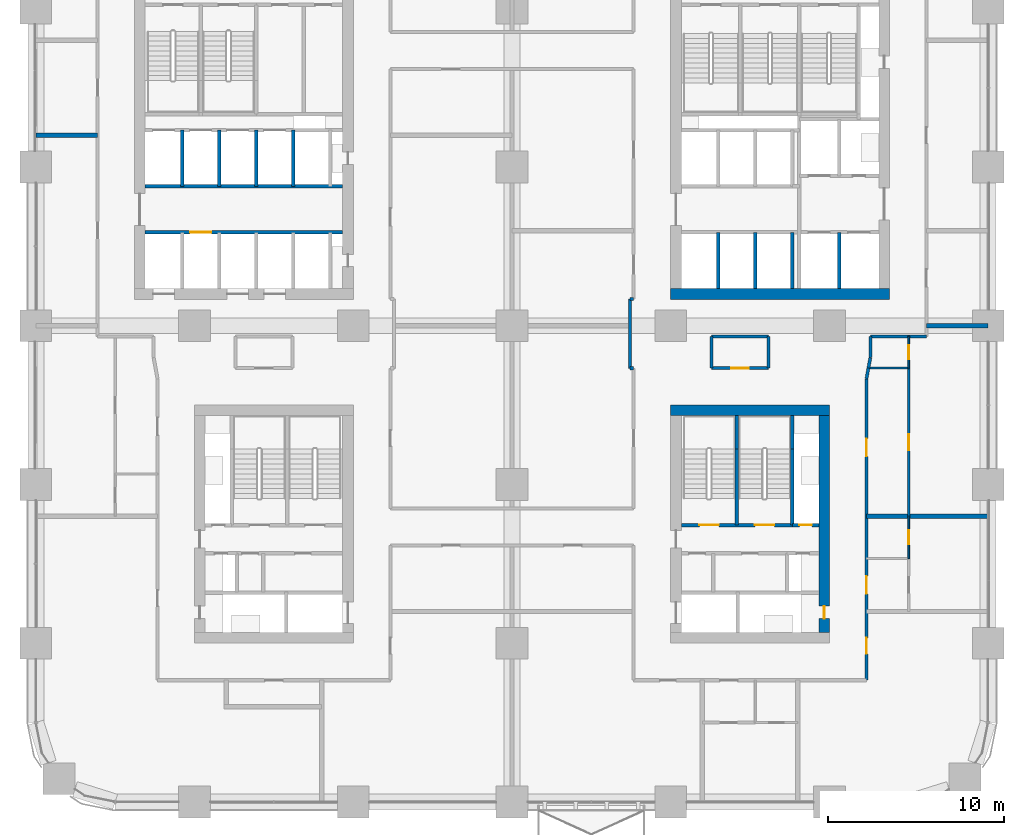
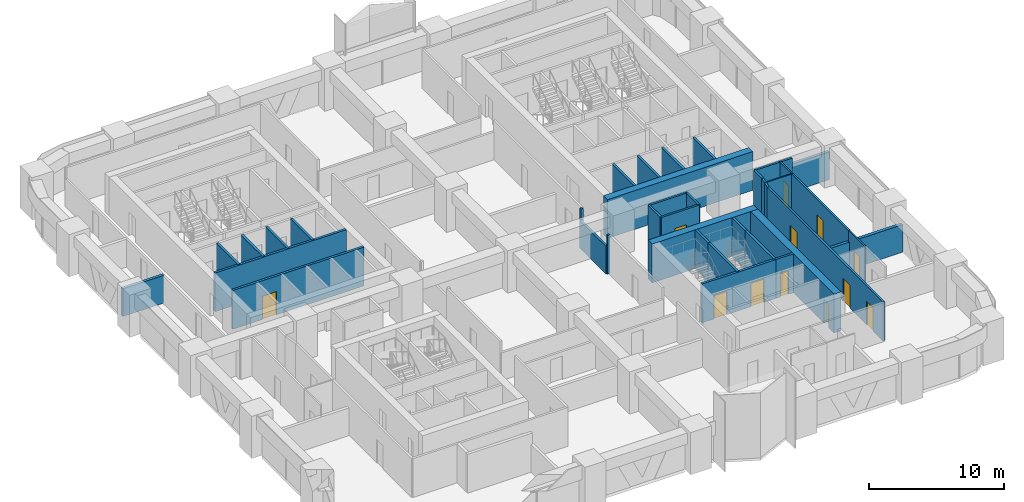
# One storey, part 15 of 22: 38 walls, 12 doors, 12 openings.
"""IFC4 building model written with IfcOpenShell, lengths in metres."""

from ifc_helpers import new_model, si_unit, direction, frame, frame_2d, origin, place, context, subcontext, project, spatial, rectangle, extrude, material, layer, layer_set, type_object, element, fill, save


model = new_model("IFC4")

# Units and contexts
model_context = context("Model", 3, precision=1e-05, world=origin(), true_north=direction((0.0, 1.0)))
body_context = subcontext(model_context, "Body", "Model", "MODEL_VIEW")
ifc_project = project(units=[si_unit("LENGTHUNIT", "METRE"), si_unit("AREAUNIT", "SQUARE_METRE"), si_unit("VOLUMEUNIT", "CUBIC_METRE"), si_unit("PLANEANGLEUNIT", "RADIAN"), si_unit("MASSUNIT", "GRAM", prefix="KILO")], contexts=[model_context])

# Site, building, storey
site_placement = place(None, origin())
site = spatial("IfcSite", under=ifc_project, at=site_placement, CompositionType="ELEMENT")
building_placement = place(site_placement, origin())
building = spatial("IfcBuilding", under=site, at=building_placement, Name="Tessera Arch", CompositionType="ELEMENT")
storey_placement = place(building_placement, frame((0.0, 0.0, 53.800048828125)))
storey = spatial("IfcBuildingStorey", under=building, at=storey_placement, Name="L11", CompositionType="ELEMENT", Elevation=53.800048828125)

# Walls
ifc_material_1 = material(Name="Concrete C70/85", Category="concrete")
ifc_layer_1 = layer(ifc_material_1, 0.60009765625)
ifc_layer_set_1 = layer_set([ifc_layer_1], Name="Core shell wall 600 C70-85")
wall_type_1 = type_object("IfcWallType", Name="Core shell wall 600 C70-85", PredefinedType="SHEAR", material=ifc_layer_set_1)
wall_1_placement = place(storey_placement, frame((36.0, 28.800048828125, 0.0), z_axis=(0.0, 0.0, 1.0), x_axis=(1.0, 0.0, 0.0)))
element("IfcWall", 1, at=wall_1_placement, inside=storey, type_object=wall_type_1, Name="L11 C1 core wall S", PredefinedType="SHEAR", context=body_context, shape_type="SweptSolid", body=[
    extrude(rectangle(XDim=12.39990234375, YDim=0.60009765625, at=frame_2d((6.199951171875, 0.0))), origin(), (0.0, 0.0, 1.0), 3.5),
])
wall_2_placement = place(storey_placement, frame((36.0, 22.199951171875, 0.0), z_axis=(0.0, 0.0, 1.0), x_axis=(1.0, 0.0, 0.0)))
element("IfcWall", 2, at=wall_2_placement, inside=storey, type_object=wall_type_1, Name="L11 C3 core wall N", PredefinedType="SHEAR", context=body_context, shape_type="SweptSolid", body=[
    extrude(rectangle(XDim=9.0, YDim=0.60009765625, at=frame_2d((4.5, 0.0))), origin(), (0.0, 0.0, 1.0), 3.5),
])

# Wall, opening, door
wall_3_placement = place(storey_placement, frame((44.699951171875, 9.60009765625, 0.0), z_axis=(0.0, 0.0, 1.0), x_axis=(0.0, 1.0, 0.0)))
wall_3 = element("IfcWall", 3, at=wall_3_placement, inside=storey, type_object=wall_type_1, Name="L11 C3 core wall E", PredefinedType="SHEAR", context=body_context, shape_type="SweptSolid", body=[
    extrude(rectangle(XDim=12.2998046875, YDim=0.60009765625, at=frame_2d((6.14990234375, 0.0))), origin(), (0.0, 0.0, 1.0), 3.5),
])
opening_1_placement = place(wall_3_placement, frame((0.800048828125, 0.0, 0.0)))
opening_1 = element("IfcOpeningElement", 4, at=opening_1_placement, cuts=wall_3, Name="Opening L11-C36", PredefinedType="OPENING", context=body_context, shape_type="SweptSolid", body=[
    extrude(rectangle(XDim=0.699951171875, YDim=2.10009765625, at=frame_2d((0.35009765625, 1.050048828125))), frame((0.0, 0.31005859375, 0.0), z_axis=(0.0, -1.0, 0.0), x_axis=(1.0, 0.0, 0.0)), (0.0, 0.0, 1.0), 0.6201171875),
])
ifc_material_2 = material(Name="Steel door leaf", Category="steel")
door_type_1 = type_object("IfcDoorType", Name="Service shaft door FD60 700 x 2100", OperationType="SINGLE_SWING_LEFT", PredefinedType="DOOR", material=ifc_material_2)
door_1_placement = place(opening_1_placement, origin())
door_1 = element("IfcDoor", 5, at=door_1_placement, inside=storey, type_object=door_type_1, Name="L11 C3 door 6 C36 type D07", OperationType="SINGLE_SWING_LEFT", OverallHeight=2.10009765625, OverallWidth=0.699951171875, PredefinedType="DOOR", context=body_context, shape_type="SweptSolid", body=[
    extrude(rectangle(XDim=0.699951171875, YDim=2.10009765625, at=frame_2d((0.35009765625, 1.050048828125))), frame((0.0, 0.02490234375, 0.0), z_axis=(0.0, -1.0, 0.0), x_axis=(1.0, 0.0, 0.0)), (0.0, 0.0, 1.0), 0.050048828125),
])
fill(opening_1, door_1)

# Wall
ifc_material_3 = material(Name="Gypsum board on deep steel stud with mineral wool", Category="steel")
ifc_layer_2 = layer(ifc_material_3, 0.175048828125)
ifc_layer_set_2 = layer_set([ifc_layer_2], Name="Corridor wall 175 EI 60")
wall_type_2 = type_object("IfcWallType", Name="Corridor wall 175 EI 60", PredefinedType="PARTITIONING", material=ifc_layer_set_2)
wall_4_placement = place(storey_placement, frame((33.699951171875, 24.590087890625, 0.0), z_axis=(0.0, 0.0, 1.0), x_axis=(1.0, 0.0, 0.0)))
element("IfcWall", 6, at=wall_4_placement, inside=storey, type_object=wall_type_2, Name="L11 partition 6", PredefinedType="PARTITIONING", context=body_context, shape_type="SweptSolid", body=[
    extrude(rectangle(XDim=0.199951171875, YDim=0.175048828125, at=frame_2d((0.10009765625, 0.0))), origin(), (0.0, 0.0, 1.0), 3.5),
])

# Wall, opening, door
wall_5_placement = place(storey_placement, frame((38.320068359375, 24.60009765625, 0.0), z_axis=(0.0, 0.0, 1.0), x_axis=(1.0, 0.0, 0.0)))
wall_5 = element("IfcWall", 7, at=wall_5_placement, inside=storey, type_object=wall_type_2, Name="L11 partition 8", PredefinedType="PARTITIONING", context=body_context, shape_type="SweptSolid", body=[
    extrude(rectangle(XDim=3.22998046875, YDim=0.175048828125, at=frame_2d((1.614990234375, 0.0))), origin(), (0.0, 0.0, 1.0), 3.5),
])
opening_2_placement = place(wall_5_placement, frame((1.114990234375, 0.0, 0.0)))
opening_2 = element("IfcOpeningElement", 8, at=opening_2_placement, cuts=wall_5, Name="Opening L11-D023", PredefinedType="OPENING", context=body_context, shape_type="SweptSolid", body=[
    extrude(rectangle(XDim=1.0, YDim=2.10009765625, at=frame_2d((0.5, 1.050048828125))), frame((0.0, 0.097412109375, 0.0), z_axis=(0.0, -1.0, 0.0), x_axis=(1.0, 0.0, 0.0)), (0.0, 0.0, 1.0), 0.195068359375),
])
ifc_material_4 = material(Name="Fire-rated door leaf")
door_type_2 = type_object("IfcDoorType", Name="Entrance door FD30S 1000 x 2100", OperationType="SINGLE_SWING_LEFT", PredefinedType="DOOR", material=ifc_material_4)
door_2_placement = place(opening_2_placement, origin())
door_2 = element("IfcDoor", 9, at=door_2_placement, inside=storey, type_object=door_type_2, Name="L11 door D023 type D03", OperationType="SINGLE_SWING_LEFT", OverallHeight=2.10009765625, OverallWidth=1.0, PredefinedType="DOOR", context=body_context, shape_type="SweptSolid", body=[
    extrude(rectangle(XDim=1.0, YDim=2.10009765625, at=frame_2d((0.5, 1.050048828125))), frame((0.0, 0.02490234375, 0.0), z_axis=(0.0, -1.0, 0.0), x_axis=(1.0, 0.0, 0.0)), (0.0, 0.0, 1.0), 0.050048828125),
])
fill(opening_2, door_2)

# Walls
wall_6_placement = place(storey_placement, frame((38.320068359375, 26.39990234375, 0.0), z_axis=(0.0, 0.0, 1.0), x_axis=(1.0, 0.0, 0.0)))
element("IfcWall", 10, at=wall_6_placement, inside=storey, type_object=wall_type_2, Name="L11 partition 11", PredefinedType="PARTITIONING", context=body_context, shape_type="SweptSolid", body=[
    extrude(rectangle(XDim=3.22998046875, YDim=0.175048828125, at=frame_2d((1.614990234375, 0.0))), origin(), (0.0, 0.0, 1.0), 3.5),
])
wall_7_placement = place(storey_placement, frame((47.320068359375, 26.39990234375, 0.0), z_axis=(0.0, 0.0, 1.0), x_axis=(1.0, 0.0, 0.0)))
element("IfcWall", 11, at=wall_7_placement, inside=storey, type_object=wall_type_2, Name="L11 partition 12", PredefinedType="PARTITIONING", context=body_context, shape_type="SweptSolid", body=[
    extrude(rectangle(XDim=3.179931640625, YDim=0.175048828125, at=frame_2d((1.58984375, 0.0))), origin(), (0.0, 0.0, 1.0), 3.5),
])
wall_8_placement = place(storey_placement, frame((33.699951171875, 28.52001953125, 0.0), z_axis=(0.0, 0.0, 1.0), x_axis=(1.0, 0.0, 0.0)))
element("IfcWall", 12, at=wall_8_placement, inside=storey, type_object=wall_type_2, Name="L11 partition 14", PredefinedType="PARTITIONING", context=body_context, shape_type="SweptSolid", body=[
    extrude(rectangle(XDim=0.199951171875, YDim=0.175048828125, at=frame_2d((0.10009765625, 0.0))), origin(), (0.0, 0.0, 1.0), 3.5),
])
wall_9_placement = place(storey_placement, frame((33.699951171875, 24.590087890625, 0.0), z_axis=(0.0, 0.0, 1.0), x_axis=(0.0, 1.0, 0.0)))
element("IfcWall", 13, at=wall_9_placement, inside=storey, type_object=wall_type_2, Name="L11 partition 29", PredefinedType="PARTITIONING", context=body_context, shape_type="SweptSolid", body=[
    extrude(rectangle(XDim=3.929931640625, YDim=0.175048828125, at=frame_2d((1.96484375, 0.0))), origin(), (0.0, 0.0, 1.0), 2.5),
])
for number, where, z_axis, x_axis, name in (
    (14, (38.320068359375, 24.60009765625, 0.0), (0.0, 0.0, 1.0), (0.0, 1.0, 0.0), "L11 partition 34"),
    (15, (41.550048828125, 24.60009765625, 0.0), (0.0, 0.0, 1.0), (0.0, 1.0, 0.0), "L11 partition 35"),
):
    element("IfcWall", number, at=place(storey_placement, frame(where, z_axis=z_axis, x_axis=x_axis)), inside=storey, type_object=wall_type_2, Name=name, PredefinedType="PARTITIONING", context=body_context, shape_type="SweptSolid", body=[
        extrude(rectangle(XDim=1.7998046875, YDim=0.175048828125, at=frame_2d((0.89990234375, 0.0))), origin(), (0.0, 0.0, 1.0), 3.5),
    ])

# Wall, openings, doors
wall_10_placement = place(storey_placement, frame((47.10009765625, 6.89990234375, 0.0), z_axis=(0.0, 0.0, 1.0), x_axis=(0.0, 1.0, 0.0)))
wall_10 = element("IfcWall", 16, at=wall_10_placement, inside=storey, type_object=wall_type_2, Name="L11 partition 36", PredefinedType="PARTITIONING", context=body_context, shape_type="SweptSolid", body=[
    extrude(rectangle(XDim=17.090087890625, YDim=0.175048828125, at=frame_2d((8.544921875, 0.0))), origin(), (0.0, 0.0, 1.0), 3.5),
])
opening_3_placement = place(wall_10_placement, frame((1.5, 0.0, 0.0)))
opening_3 = element("IfcOpeningElement", 17, at=opening_3_placement, cuts=wall_10, Name="Opening L11-D006", PredefinedType="OPENING", context=body_context, shape_type="SweptSolid", body=[
    extrude(rectangle(XDim=0.89990234375, YDim=2.10009765625, at=frame_2d((0.449951171875, 1.050048828125))), frame((0.0, 0.097412109375, 0.0), z_axis=(0.0, -1.0, 0.0), x_axis=(1.0, 0.0, 0.0)), (0.0, 0.0, 1.0), 0.195068359375),
])
opening_4_placement = place(wall_10_placement, frame((4.89990234375, 0.0, 0.0)))
opening_4 = element("IfcOpeningElement", 18, at=opening_4_placement, cuts=wall_10, Name="Opening L11-D011", PredefinedType="OPENING", context=body_context, shape_type="SweptSolid", body=[
    extrude(rectangle(XDim=1.0, YDim=2.10009765625, at=frame_2d((0.5, 1.050048828125))), frame((0.0, 0.097412109375, 0.0), z_axis=(0.0, -1.0, 0.0), x_axis=(1.0, 0.0, 0.0)), (0.0, 0.0, 1.0), 0.195068359375),
])
opening_5_placement = place(wall_10_placement, frame((12.695068359375, 0.0, 0.0)))
opening_5 = element("IfcOpeningElement", 19, at=opening_5_placement, cuts=wall_10, Name="Opening L11-D017", PredefinedType="OPENING", context=body_context, shape_type="SweptSolid", body=[
    extrude(rectangle(XDim=1.0, YDim=2.10009765625, at=frame_2d((0.5, 1.050048828125))), frame((0.0, 0.097412109375, 0.0), z_axis=(0.0, -1.0, 0.0), x_axis=(1.0, 0.0, 0.0)), (0.0, 0.0, 1.0), 0.195068359375),
])
door_3_placement = place(opening_4_placement, origin())
door_3 = element("IfcDoor", 20, at=door_3_placement, inside=storey, type_object=door_type_2, Name="L11 door D011 type D03", OperationType="SINGLE_SWING_RIGHT", OverallHeight=2.10009765625, OverallWidth=1.0, PredefinedType="DOOR", context=body_context, shape_type="SweptSolid", body=[
    extrude(rectangle(XDim=1.0, YDim=2.10009765625, at=frame_2d((0.5, 1.050048828125))), frame((0.0, 0.02490234375, 0.0), z_axis=(0.0, -1.0, 0.0), x_axis=(1.0, 0.0, 0.0)), (0.0, 0.0, 1.0), 0.050048828125),
])
fill(opening_4, door_3)
door_4_placement = place(opening_5_placement, origin())
door_4 = element("IfcDoor", 21, at=door_4_placement, inside=storey, type_object=door_type_2, Name="L11 door D017 type D03", OperationType="SINGLE_SWING_RIGHT", OverallHeight=2.10009765625, OverallWidth=1.0, PredefinedType="DOOR", context=body_context, shape_type="SweptSolid", body=[
    extrude(rectangle(XDim=1.0, YDim=2.10009765625, at=frame_2d((0.5, 1.050048828125))), frame((0.0, 0.02490234375, 0.0), z_axis=(0.0, -1.0, 0.0), x_axis=(1.0, 0.0, 0.0)), (0.0, 0.0, 1.0), 0.050048828125),
])
fill(opening_5, door_4)
ifc_material_5 = material(Name="Timber door leaf", Category="wood")
door_type_3 = type_object("IfcDoorType", Name="Room door 900 x 2100", OperationType="SINGLE_SWING_LEFT", PredefinedType="DOOR", material=ifc_material_5)
door_5_placement = place(opening_3_placement, origin())
door_5 = element("IfcDoor", 22, at=door_5_placement, inside=storey, type_object=door_type_3, Name="L11 door D006 type D01", OperationType="SINGLE_SWING_LEFT", OverallHeight=2.10009765625, OverallWidth=0.89990234375, PredefinedType="DOOR", context=body_context, shape_type="SweptSolid", body=[
    extrude(rectangle(XDim=0.89990234375, YDim=2.10009765625, at=frame_2d((0.449951171875, 1.050048828125))), frame((0.0, 0.02490234375, 0.0), z_axis=(0.0, -1.0, 0.0), x_axis=(1.0, 0.0, 0.0)), (0.0, 0.0, 1.0), 0.050048828125),
])
fill(opening_3, door_5)

# Walls
wall_11_placement = place(storey_placement, frame((47.320068359375, 25.18994140625, 0.0), z_axis=(0.0, 0.0, 1.0), x_axis=(0.0, 1.0, 0.0)))
element("IfcWall", 23, at=wall_11_placement, inside=storey, type_object=wall_type_2, Name="L11 partition 37", PredefinedType="PARTITIONING", context=body_context, shape_type="SweptSolid", body=[
    extrude(rectangle(XDim=1.2099609375, YDim=0.175048828125, at=frame_2d((0.60498046875, 0.0))), origin(), (0.0, 0.0, 1.0), 3.5),
])
wall_12_placement = place(storey_placement, frame((47.212158203125, 24.60205078125, 0.0), z_axis=(0.0, 0.0, 1.0), x_axis=(-0.180093775654, -0.983649445672, 0.0)))
element("IfcWall", 24, at=wall_12_placement, inside=storey, type_object=wall_type_2, Name="L11 partition 77", PredefinedType="PARTITIONING", context=body_context, shape_type="SweptSolid", body=[
    extrude(rectangle(XDim=0.622314453125, YDim=0.175048828125, at=frame_2d((0.31103515625, 0.0))), origin(), (0.0, 0.0, 1.0), 3.5),
])
wall_13_placement = place(storey_placement, frame((47.320068359375, 25.18994140625, 0.0), z_axis=(0.0, 0.0, 1.0), x_axis=(-0.180491370225, -0.983576568079, 0.0)))
element("IfcWall", 25, at=wall_13_placement, inside=storey, type_object=wall_type_2, Name="L11 partition 78", PredefinedType="PARTITIONING", context=body_context, shape_type="SweptSolid", body=[
    extrude(rectangle(XDim=0.601806640625, YDim=0.175048828125, at=frame_2d((0.30078125, 0.0))), origin(), (0.0, 0.0, 1.0), 3.5),
])

# Wall, opening, door
ifc_material_6 = material(Name="Gypsum board on steel stud", Category="steel")
ifc_layer_3 = layer(ifc_material_6, 0.14990234375)
ifc_layer_set_3 = layer_set([ifc_layer_3], Name="Partition 150")
wall_type_3 = type_object("IfcWallType", Name="Partition 150", PredefinedType="PARTITIONING", material=ifc_layer_set_3)
wall_14_placement = place(storey_placement, frame((49.5, 16.199951171875, 0.0), z_axis=(0.0, 0.0, 1.0), x_axis=(0.0, 1.0, 0.0)))
wall_14 = element("IfcWall", 26, at=wall_14_placement, inside=storey, type_object=wall_type_3, Name="L11 partition 42", PredefinedType="PARTITIONING", context=body_context, shape_type="SweptSolid", body=[
    extrude(rectangle(XDim=8.400146484375, YDim=0.14990234375, at=frame_2d((4.2001953125, 0.0))), origin(), (0.0, 0.0, 1.0), 3.5),
])
opening_6_placement = place(wall_14_placement, frame((3.75, 0.0, 0.0)))
opening_6 = element("IfcOpeningElement", 27, at=opening_6_placement, cuts=wall_14, Name="Opening L11-D018", PredefinedType="OPENING", context=body_context, shape_type="SweptSolid", body=[
    extrude(rectangle(XDim=0.89990234375, YDim=2.10009765625, at=frame_2d((0.449951171875, 1.050048828125))), frame((0.0, 0.0849609375, 0.0), z_axis=(0.0, -1.0, 0.0), x_axis=(1.0, 0.0, 0.0)), (0.0, 0.0, 1.0), 0.169921875),
])
door_6_placement = place(opening_6_placement, origin())
door_6 = element("IfcDoor", 28, at=door_6_placement, inside=storey, type_object=door_type_3, Name="L11 door D018 type D01", OperationType="SINGLE_SWING_LEFT", OverallHeight=2.10009765625, OverallWidth=0.89990234375, PredefinedType="DOOR", context=body_context, shape_type="SweptSolid", body=[
    extrude(rectangle(XDim=0.89990234375, YDim=2.10009765625, at=frame_2d((0.449951171875, 1.050048828125))), frame((0.0, 0.02490234375, 0.0), z_axis=(0.0, -1.0, 0.0), x_axis=(1.0, 0.0, 0.0)), (0.0, 0.0, 1.0), 0.050048828125),
])
fill(opening_6, door_6)

# Walls
ifc_material_7 = material(Name="Double gypsum board on twin steel stud with acoustic mineral wool", Category="steel")
ifc_layer_4 = layer(ifc_material_7, 0.25)
ifc_layer_set_4 = layer_set([ifc_layer_4], Name="Party wall 250 EI 60")
wall_type_4 = type_object("IfcWallType", Name="Party wall 250 EI 60", PredefinedType="PARTITIONING", material=ifc_layer_set_4)
wall_15_placement = place(storey_placement, frame((47.10009765625, 16.199951171875, 0.0), z_axis=(0.0, 0.0, 1.0), x_axis=(1.0, 0.0, 0.0)))
element("IfcWall", 29, at=wall_15_placement, inside=storey, type_object=wall_type_4, Name="L11 partition 47", PredefinedType="PARTITIONING", context=body_context, shape_type="SweptSolid", body=[
    extrude(rectangle(XDim=6.89990234375, YDim=0.25, at=frame_2d((3.449951171875, 0.0))), origin(), (0.0, 0.0, 1.0), 2.5),
])
for number, where, z_axis, x_axis, name in (
    (30, (50.5, 27.0, 0.0), (0.0, 0.0, 1.0), (1.0, 0.0, 0.0), "L11 partition 50"),
    (31, (0.0, 37.800048828125, 0.0), (0.0, 0.0, 1.0), (1.0, 0.0, 0.0), "L11 partition 53"),
):
    element("IfcWall", number, at=place(storey_placement, frame(where, z_axis=z_axis, x_axis=x_axis)), inside=storey, type_object=wall_type_4, Name=name, PredefinedType="PARTITIONING", context=body_context, shape_type="SweptSolid", body=[
        extrude(rectangle(XDim=3.5, YDim=0.25, at=frame_2d((1.75, 0.0))), origin(), (0.0, 0.0, 1.0), 2.5),
    ])
ifc_material_8 = material(Name="Concrete C40/50", Category="concrete")
ifc_layer_5 = layer(ifc_material_8, 0.199951171875)
ifc_layer_set_5 = layer_set([ifc_layer_5], Name="Shaft wall 200 EI 120")
wall_type_5 = type_object("IfcWallType", Name="Shaft wall 200 EI 120", PredefinedType="SOLIDWALL", material=ifc_layer_set_5)
for number, where, z_axis, x_axis, name in (
    (32, (38.699951171875, 29.10009765625, 0.0), (0.0, 0.0, 1.0), (0.0, 1.0, 0.0), "L11 C1 shaft wall 1"),
    (33, (40.800048828125, 29.10009765625, 0.0), (0.0, 0.0, 1.0), (0.0, 1.0, 0.0), "L11 C1 shaft wall 6"),
    (34, (42.89990234375, 29.10009765625, 0.0), (0.0, 0.0, 1.0), (0.0, 1.0, 0.0), "L11 C1 shaft wall 8"),
    (35, (45.550048828125, 29.10009765625, 0.0), (0.0, 0.0, 1.0), (0.0, 1.0, 0.0), "L11 C1 shaft wall 13"),
):
    element("IfcWall", number, at=place(storey_placement, frame(where, z_axis=z_axis, x_axis=x_axis)), inside=storey, type_object=wall_type_5, Name=name, PredefinedType="SOLIDWALL", context=body_context, shape_type="SweptSolid", body=[
        extrude(rectangle(XDim=3.199951171875, YDim=0.199951171875, at=frame_2d((1.60009765625, 0.0))), origin(), (0.0, 0.0, 1.0), 3.5),
    ])
for number, where, z_axis, x_axis, name in (
    (36, (8.300048828125, 34.89990234375, 0.0), (0.0, 0.0, 1.0), (0.0, 1.0, 0.0), "L11 C2 shaft wall 2"),
    (37, (10.39990234375, 34.89990234375, 0.0), (0.0, 0.0, 1.0), (0.0, 1.0, 0.0), "L11 C2 shaft wall 6"),
    (38, (12.5, 34.89990234375, 0.0), (0.0, 0.0, 1.0), (0.0, 1.0, 0.0), "L11 C2 shaft wall 8"),
    (39, (14.60009765625, 34.89990234375, 0.0), (0.0, 0.0, 1.0), (0.0, 1.0, 0.0), "L11 C2 shaft wall 12"),
):
    element("IfcWall", number, at=place(storey_placement, frame(where, z_axis=z_axis, x_axis=x_axis)), inside=storey, type_object=wall_type_5, Name=name, PredefinedType="SOLIDWALL", context=body_context, shape_type="SweptSolid", body=[
        extrude(rectangle(XDim=3.2001953125, YDim=0.199951171875, at=frame_2d((1.60009765625, 0.0))), origin(), (0.0, 0.0, 1.0), 3.5),
    ])

# Wall, opening, door
wall_16_placement = place(storey_placement, frame((6.199951171875, 32.300048828125, 0.0), z_axis=(0.0, 0.0, 1.0), x_axis=(1.0, 0.0, 0.0)))
wall_16 = element("IfcWall", 40, at=wall_16_placement, inside=storey, type_object=wall_type_5, Name="L11 C2 shaft wall 16", PredefinedType="SOLIDWALL", context=body_context, shape_type="SweptSolid", body=[
    extrude(rectangle(XDim=11.199951171875, YDim=0.199951171875, at=frame_2d((5.60009765625, 0.0))), origin(), (0.0, 0.0, 1.0), 3.5),
])
opening_7_placement = place(wall_16_placement, frame((2.550048828125, 0.0, 0.0)))
opening_7 = element("IfcOpeningElement", 41, at=opening_7_placement, cuts=wall_16, Name="Opening L11-C15", PredefinedType="OPENING", context=body_context, shape_type="SweptSolid", body=[
    extrude(rectangle(XDim=1.199951171875, YDim=2.10009765625, at=frame_2d((0.60009765625, 1.050048828125))), frame((0.0, 0.10986328125, 0.0), z_axis=(0.0, -1.0, 0.0), x_axis=(1.0, 0.0, 0.0)), (0.0, 0.0, 1.0), 0.219970703125),
])
ifc_material_9 = material(Name="Stainless steel AISI 304", Category="steel")
door_type_4 = type_object("IfcDoorType", Name="Sliding landing door 1200 x 2100", OperationType="SLIDING_TO_LEFT", PredefinedType="DOOR", material=ifc_material_9)
door_7_placement = place(opening_7_placement, origin())
door_7 = element("IfcDoor", 42, at=door_7_placement, inside=storey, type_object=door_type_4, Name="L11 LR2 lift landing door C15 type LD", OperationType="SLIDING_TO_LEFT", OverallHeight=2.10009765625, OverallWidth=1.199951171875, PredefinedType="DOOR", context=body_context, shape_type="SweptSolid", body=[
    extrude(rectangle(XDim=1.199951171875, YDim=2.10009765625, at=frame_2d((0.60009765625, 1.050048828125))), frame((0.0, 0.02490234375, 0.0), z_axis=(0.0, -1.0, 0.0), x_axis=(1.0, 0.0, 0.0)), (0.0, 0.0, 1.0), 0.050048828125),
])
fill(opening_7, door_7)

# Wall
wall_17_placement = place(storey_placement, frame((6.199951171875, 34.89990234375, 0.0), z_axis=(0.0, 0.0, 1.0), x_axis=(1.0, 0.0, 0.0)))
element("IfcWall", 43, at=wall_17_placement, inside=storey, type_object=wall_type_5, Name="L11 C2 shaft wall 17", PredefinedType="SOLIDWALL", context=body_context, shape_type="SweptSolid", body=[
    extrude(rectangle(XDim=11.199951171875, YDim=0.199951171875, at=frame_2d((5.60009765625, 0.0))), origin(), (0.0, 0.0, 1.0), 3.5),
])

# Wall, opening, door
wall_18_placement = place(storey_placement, frame((42.89990234375, 15.699951171875, 0.0), z_axis=(0.0, 0.0, 1.0), x_axis=(1.0, 0.0, 0.0)))
wall_18 = element("IfcWall", 44, at=wall_18_placement, inside=storey, type_object=wall_type_5, Name="L11 C3 shaft wall 11", PredefinedType="SOLIDWALL", context=body_context, shape_type="SweptSolid", body=[
    extrude(rectangle(XDim=1.5, YDim=0.199951171875, at=frame_2d((0.75, 0.0))), origin(), (0.0, 0.0, 1.0), 3.5),
])
opening_8_placement = place(wall_18_placement, frame((0.39990234375, 0.0, 0.0)))
opening_8 = element("IfcOpeningElement", 45, at=opening_8_placement, cuts=wall_18, Name="Opening L11-C34", PredefinedType="OPENING", context=body_context, shape_type="SweptSolid", body=[
    extrude(rectangle(XDim=0.699951171875, YDim=2.10009765625, at=frame_2d((0.35009765625, 1.050048828125))), frame((0.0, 0.10986328125, 0.0), z_axis=(0.0, -1.0, 0.0), x_axis=(1.0, 0.0, 0.0)), (0.0, 0.0, 1.0), 0.219970703125),
])
door_8_placement = place(opening_8_placement, origin())
door_8 = element("IfcDoor", 46, at=door_8_placement, inside=storey, type_object=door_type_1, Name="L11 C3 door 4 C34 type D07", OperationType="SINGLE_SWING_LEFT", OverallHeight=2.10009765625, OverallWidth=0.699951171875, PredefinedType="DOOR", context=body_context, shape_type="SweptSolid", body=[
    extrude(rectangle(XDim=0.699951171875, YDim=2.10009765625, at=frame_2d((0.35009765625, 1.050048828125))), frame((0.0, 0.02490234375, 0.0), z_axis=(0.0, -1.0, 0.0), x_axis=(1.0, 0.0, 0.0)), (0.0, 0.0, 1.0), 0.050048828125),
])
fill(opening_8, door_8)

# Walls
ifc_material_10 = material(Name="Concrete C40/50", Category="concrete")
ifc_layer_6 = layer(ifc_material_10, 0.199951171875)
ifc_layer_set_6 = layer_set([ifc_layer_6], Name="Stair well wall 200 REI 180")
wall_type_6 = type_object("IfcWallType", Name="Stair well wall 200 REI 180", PredefinedType="SOLIDWALL", material=ifc_layer_set_6)
wall_19_placement = place(storey_placement, frame((39.75, 15.699951171875, 0.0), z_axis=(0.0, 0.0, 1.0), x_axis=(0.0, 1.0, 0.0)))
element("IfcWall", 47, at=wall_19_placement, inside=storey, type_object=wall_type_6, Name="L11 C3 shaft wall 2", PredefinedType="SOLIDWALL", context=body_context, shape_type="SweptSolid", body=[
    extrude(rectangle(XDim=4.300048828125, YDim=0.199951171875, at=frame_2d((2.14990234375, 0.0))), origin(), (0.0, 0.0, 1.0), 3.5),
])
wall_20_placement = place(storey_placement, frame((39.75, 20.0, 0.0), z_axis=(0.0, 0.0, 1.0), x_axis=(0.0, 1.0, 0.0)))
element("IfcWall", 48, at=wall_20_placement, inside=storey, type_object=wall_type_6, Name="L11 C3 shaft wall 3", PredefinedType="SOLIDWALL", context=body_context, shape_type="SweptSolid", body=[
    extrude(rectangle(XDim=1.89990234375, YDim=0.199951171875, at=frame_2d((0.949951171875, 0.0))), origin(), (0.0, 0.0, 1.0), 3.5),
])
wall_21_placement = place(storey_placement, frame((42.89990234375, 15.699951171875, 0.0), z_axis=(0.0, 0.0, 1.0), x_axis=(0.0, 1.0, 0.0)))
element("IfcWall", 49, at=wall_21_placement, inside=storey, type_object=wall_type_6, Name="L11 C3 shaft wall 6", PredefinedType="SOLIDWALL", context=body_context, shape_type="SweptSolid", body=[
    extrude(rectangle(XDim=4.300048828125, YDim=0.199951171875, at=frame_2d((2.14990234375, 0.0))), origin(), (0.0, 0.0, 1.0), 3.5),
])
wall_22_placement = place(storey_placement, frame((42.89990234375, 20.0, 0.0), z_axis=(0.0, 0.0, 1.0), x_axis=(0.0, 1.0, 0.0)))
element("IfcWall", 50, at=wall_22_placement, inside=storey, type_object=wall_type_6, Name="L11 C3 shaft wall 7", PredefinedType="SOLIDWALL", context=body_context, shape_type="SweptSolid", body=[
    extrude(rectangle(XDim=1.89990234375, YDim=0.199951171875, at=frame_2d((0.949951171875, 0.0))), origin(), (0.0, 0.0, 1.0), 3.5),
])

# Wall, openings, doors
wall_23_placement = place(storey_placement, frame((36.60009765625, 15.699951171875, 0.0), z_axis=(0.0, 0.0, 1.0), x_axis=(1.0, 0.0, 0.0)))
wall_23 = element("IfcWall", 51, at=wall_23_placement, inside=storey, type_object=wall_type_6, Name="L11 C3 shaft wall 12", PredefinedType="SOLIDWALL", context=body_context, shape_type="SweptSolid", body=[
    extrude(rectangle(XDim=6.2998046875, YDim=0.199951171875, at=frame_2d((3.14990234375, 0.0))), origin(), (0.0, 0.0, 1.0), 3.5),
])
opening_9_placement = place(wall_23_placement, frame((1.02490234375, 0.0, 0.0)))
opening_9 = element("IfcOpeningElement", 52, at=opening_9_placement, cuts=wall_23, Name="Opening L11-C32", PredefinedType="OPENING", context=body_context, shape_type="SweptSolid", body=[
    extrude(rectangle(XDim=1.10009765625, YDim=2.10009765625, at=frame_2d((0.550048828125, 1.050048828125))), frame((0.0, 0.10986328125, 0.0), z_axis=(0.0, -1.0, 0.0), x_axis=(1.0, 0.0, 0.0)), (0.0, 0.0, 1.0), 0.219970703125),
])
opening_10_placement = place(wall_23_placement, frame((4.175048828125, 0.0, 0.0)))
opening_10 = element("IfcOpeningElement", 53, at=opening_10_placement, cuts=wall_23, Name="Opening L11-C33", PredefinedType="OPENING", context=body_context, shape_type="SweptSolid", body=[
    extrude(rectangle(XDim=1.10009765625, YDim=2.10009765625, at=frame_2d((0.550048828125, 1.050048828125))), frame((0.0, 0.10986328125, 0.0), z_axis=(0.0, -1.0, 0.0), x_axis=(1.0, 0.0, 0.0)), (0.0, 0.0, 1.0), 0.219970703125),
])
ifc_material_11 = material(Name="Steel door leaf", Category="steel")
door_type_5 = type_object("IfcDoorType", Name="Stair door FD60 1100 x 2100", OperationType="SINGLE_SWING_LEFT", PredefinedType="DOOR", material=ifc_material_11)
door_9_placement = place(opening_9_placement, origin())
door_9 = element("IfcDoor", 54, at=door_9_placement, inside=storey, type_object=door_type_5, Name="L11 C3 door 2 C32 type D05", OperationType="SINGLE_SWING_LEFT", OverallHeight=2.10009765625, OverallWidth=1.10009765625, PredefinedType="DOOR", context=body_context, shape_type="SweptSolid", body=[
    extrude(rectangle(XDim=1.10009765625, YDim=2.10009765625, at=frame_2d((0.550048828125, 1.050048828125))), frame((0.0, 0.02490234375, 0.0), z_axis=(0.0, -1.0, 0.0), x_axis=(1.0, 0.0, 0.0)), (0.0, 0.0, 1.0), 0.050048828125),
])
fill(opening_9, door_9)
door_10_placement = place(opening_10_placement, origin())
door_10 = element("IfcDoor", 55, at=door_10_placement, inside=storey, type_object=door_type_5, Name="L11 C3 door 3 C33 type D05", OperationType="SINGLE_SWING_RIGHT", OverallHeight=2.10009765625, OverallWidth=1.10009765625, PredefinedType="DOOR", context=body_context, shape_type="SweptSolid", body=[
    extrude(rectangle(XDim=1.10009765625, YDim=2.10009765625, at=frame_2d((0.550048828125, 1.050048828125))), frame((0.0, 0.02490234375, 0.0), z_axis=(0.0, -1.0, 0.0), x_axis=(1.0, 0.0, 0.0)), (0.0, 0.0, 1.0), 0.050048828125),
])
fill(opening_10, door_10)

# Wall
ifc_material_12 = material(Name="Moisture-resistant board on pre-plumbed steel stud", Category="steel")
ifc_layer_7 = layer(ifc_material_12, 0.10009765625)
ifc_layer_set_7 = layer_set([ifc_layer_7], Name="Wet wall 100")
wall_type_7 = type_object("IfcWallType", Name="Wet wall 100", PredefinedType="PARTITIONING", material=ifc_layer_set_7)
wall_24_placement = place(storey_placement, frame((47.2119140625, 24.60009765625, 0.0), z_axis=(0.0, 0.0, 1.0), x_axis=(1.0, 0.0, 0.0)))
element("IfcWall", 56, at=wall_24_placement, inside=storey, type_object=wall_type_7, Name="L11 partition 71", PredefinedType="PARTITIONING", context=body_context, shape_type="SweptSolid", body=[
    extrude(rectangle(XDim=2.2880859375, YDim=0.10009765625, at=frame_2d((1.14404296875, 0.0))), origin(), (0.0, 0.0, 1.0), 3.5),
])

# Wall, opening, door
wall_25_placement = place(storey_placement, frame((49.5, 13.800048828125, 0.0), z_axis=(0.0, 0.0, 1.0), x_axis=(0.0, 1.0, 0.0)))
wall_25 = element("IfcWall", 57, at=wall_25_placement, inside=storey, type_object=wall_type_7, Name="L11 partition 74", PredefinedType="PARTITIONING", context=body_context, shape_type="SweptSolid", body=[
    extrude(rectangle(XDim=2.39990234375, YDim=0.10009765625, at=frame_2d((1.199951171875, 0.0))), origin(), (0.0, 0.0, 1.0), 3.5),
])
opening_11_placement = place(wall_25_placement, frame((0.800048828125, 0.0, 0.0)))
opening_11 = element("IfcOpeningElement", 58, at=opening_11_placement, cuts=wall_25, Name="Opening L11-D013", PredefinedType="OPENING", context=body_context, shape_type="SweptSolid", body=[
    extrude(rectangle(XDim=0.800048828125, YDim=2.10009765625, at=frame_2d((0.39990234375, 1.050048828125))), frame((0.0, 0.06005859375, 0.0), z_axis=(0.0, -1.0, 0.0), x_axis=(1.0, 0.0, 0.0)), (0.0, 0.0, 1.0), 0.1201171875),
])
ifc_material_13 = material(Name="Timber door leaf", Category="wood")
door_type_6 = type_object("IfcDoorType", Name="En-suite door 800 x 2100", OperationType="SINGLE_SWING_LEFT", PredefinedType="DOOR", material=ifc_material_13)
door_11_placement = place(opening_11_placement, origin())
door_11 = element("IfcDoor", 59, at=door_11_placement, inside=storey, type_object=door_type_6, Name="L11 door D013 type D02", OperationType="SINGLE_SWING_RIGHT", OverallHeight=2.10009765625, OverallWidth=0.800048828125, PredefinedType="DOOR", context=body_context, shape_type="SweptSolid", body=[
    extrude(rectangle(XDim=0.800048828125, YDim=2.10009765625, at=frame_2d((0.39990234375, 1.050048828125))), frame((0.0, 0.02490234375, 0.0), z_axis=(0.0, -1.0, 0.0), x_axis=(1.0, 0.0, 0.0)), (0.0, 0.0, 1.0), 0.050048828125),
])
fill(opening_11, door_11)

wall_26_placement = place(storey_placement, frame((49.5, 24.60009765625, 0.0), z_axis=(0.0, 0.0, 1.0), x_axis=(0.0, 1.0, 0.0)))
wall_26 = element("IfcWall", 60, at=wall_26_placement, inside=storey, type_object=wall_type_7, Name="L11 partition 75", PredefinedType="PARTITIONING", context=body_context, shape_type="SweptSolid", body=[
    extrude(rectangle(XDim=1.7998046875, YDim=0.10009765625, at=frame_2d((0.89990234375, 0.0))), origin(), (0.0, 0.0, 1.0), 3.5),
])
opening_12_placement = place(wall_26_placement, frame((0.5, 0.0, 0.0)))
opening_12 = element("IfcOpeningElement", 61, at=opening_12_placement, cuts=wall_26, Name="Opening L11-D019", PredefinedType="OPENING", context=body_context, shape_type="SweptSolid", body=[
    extrude(rectangle(XDim=0.800048828125, YDim=2.10009765625, at=frame_2d((0.39990234375, 1.050048828125))), frame((0.0, 0.06005859375, 0.0), z_axis=(0.0, -1.0, 0.0), x_axis=(1.0, 0.0, 0.0)), (0.0, 0.0, 1.0), 0.1201171875),
])
door_12_placement = place(opening_12_placement, origin())
door_12 = element("IfcDoor", 62, at=door_12_placement, inside=storey, type_object=door_type_6, Name="L11 door D019 type D02", OperationType="SINGLE_SWING_RIGHT", OverallHeight=2.10009765625, OverallWidth=0.800048828125, PredefinedType="DOOR", context=body_context, shape_type="SweptSolid", body=[
    extrude(rectangle(XDim=0.800048828125, YDim=2.10009765625, at=frame_2d((0.39990234375, 1.050048828125))), frame((0.0, 0.02490234375, 0.0), z_axis=(0.0, -1.0, 0.0), x_axis=(1.0, 0.0, 0.0)), (0.0, 0.0, 1.0), 0.050048828125),
])
fill(opening_12, door_12)

save(model, "model.ifc")
